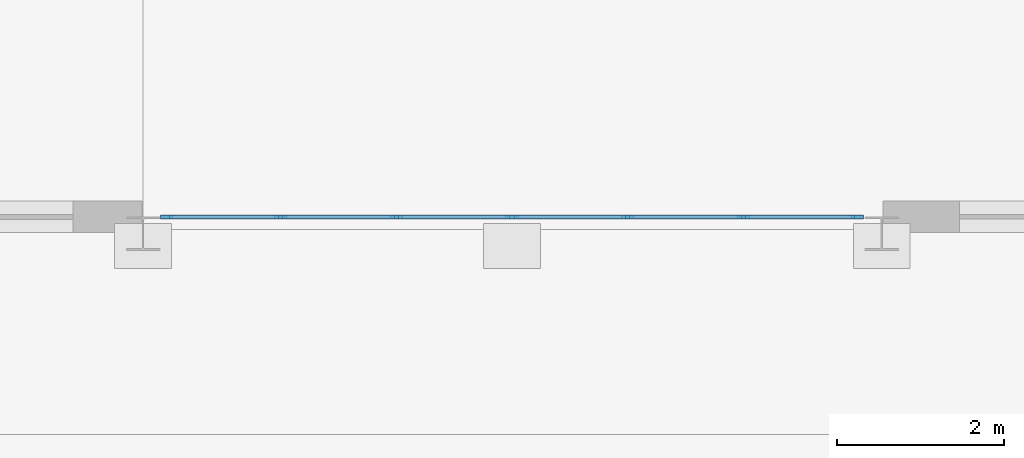
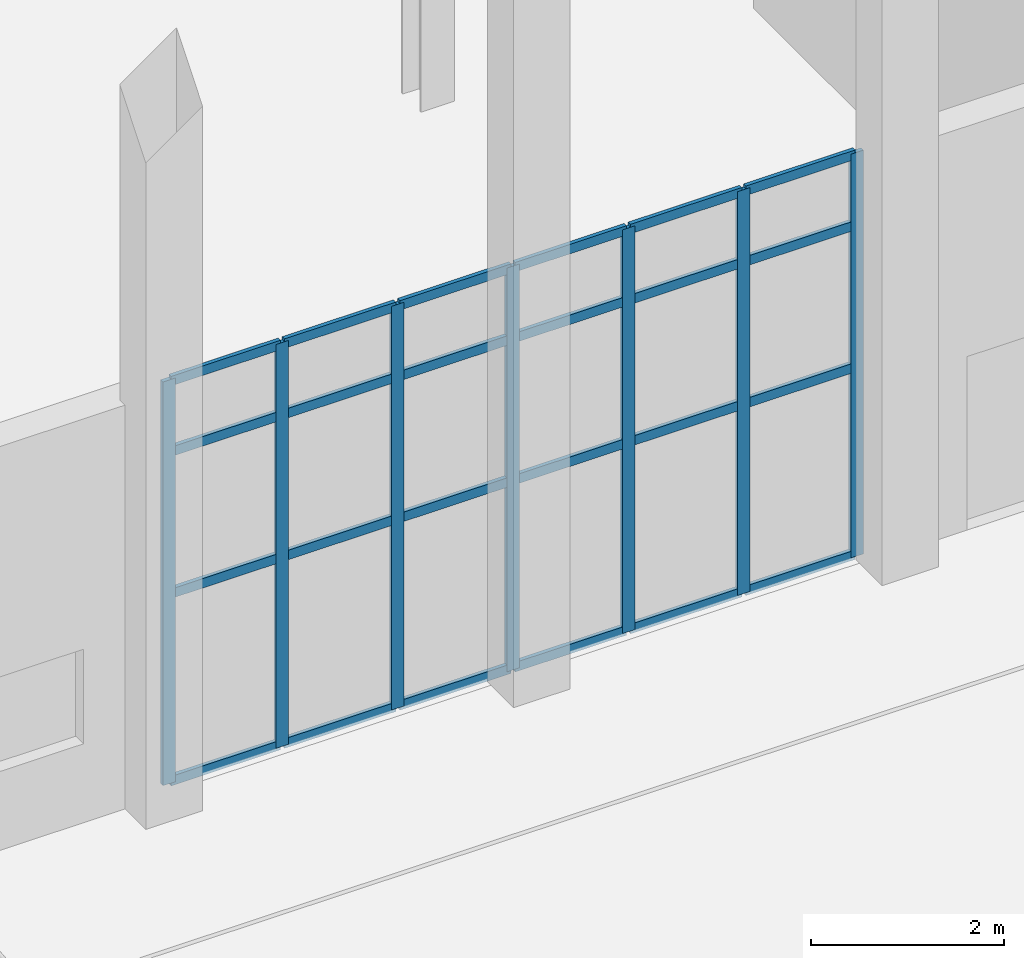
# One storey, part 50 of 139: 31 members, 1 element without a shape of its own.
"""IFC4 building model written with IfcOpenShell, lengths in metres."""

from ifc_helpers import new_model, si_unit, direction, frame, origin, origin_2d, place, context, subcontext, project, spatial, rectangle, extrude, material, layer, layer_set, material_profile, profile_set, type_object, element, aggregate, save


model = new_model("IFC4")

# Units and contexts
model_context = context("Model", 3, precision=1e-05, world=origin(), true_north=direction((0.0, 1.0)))
body_context = subcontext(model_context, "Body", "Model", "MODEL_VIEW")
ifc_project = project(units=[si_unit("LENGTHUNIT", "METRE"), si_unit("AREAUNIT", "SQUARE_METRE"), si_unit("VOLUMEUNIT", "CUBIC_METRE"), si_unit("PLANEANGLEUNIT", "RADIAN"), si_unit("MASSUNIT", "GRAM", prefix="KILO")], contexts=[model_context])

# Site, building, storey
site_placement = place(None, origin())
site = spatial("IfcSite", under=ifc_project, at=site_placement, CompositionType="ELEMENT")
building_placement = place(site_placement, origin())
building = spatial("IfcBuilding", under=site, at=building_placement, Name="Yeouljin Market Hall", CompositionType="ELEMENT")
storey_placement = place(building_placement, origin())
storey = spatial("IfcBuildingStorey", under=building, at=storey_placement, Name="L00", CompositionType="ELEMENT", Elevation=0.0)

# Curtain wall, members
ifc_material_1 = material(Name="Thermally Broken Aluminium", Category="aluminium")
ifc_layer = layer(ifc_material_1, 0.14990234375)
ifc_layer_set = layer_set([ifc_layer], Name="Thermally Broken Aluminium")
curtain_wall_type = type_object("IfcCurtainWallType", Name="CW_WingStorefront_System", PredefinedType="USERDEFINED", material=ifc_layer_set)
curtain_wall_placement = place(storey_placement, origin())
curtain_wall = element("IfcCurtainWall", 1, at=curtain_wall_placement, inside=storey, type_object=curtain_wall_type, Name="Curtain wall CW-V3S-L00-2", ObjectType="CURTAIN WALL", PredefinedType="USERDEFINED")
ifc_material_2 = material(Name="Thermally Broken Aluminium", Category="aluminium")
ifc_material_profile_1 = material_profile(ifc_material_2, rectangle(XDim=0.048095703125, YDim=0.14990234375, at=origin_2d()), Name="CW-MULL-48x150")
ifc_profile_set_1 = profile_set([ifc_material_profile_1], Name="Thermally Broken Aluminium")
member_type_1 = type_object("IfcMemberType", Name="CWMullion_48x150", PredefinedType="MULLION", material=ifc_profile_set_1)
member_1_placement = place(storey_placement, frame((167.27587890625, 0.199951171875, 0.0), z_axis=(0.0, 0.0, 1.0), x_axis=(0.0, -1.0, 0.0)))
member_1 = element("IfcMember", 2, at=member_1_placement, type_object=member_type_1, Name="CW-04 mullion 1", PredefinedType="MULLION", context=body_context, shape_type="SweptSolid", body=[
    extrude(rectangle(XDim=0.048095703125, YDim=0.14990234375, at=origin_2d()), origin(), (0.0, 0.0, 1.0), 5.1201171875),
])
member_2_placement = place(storey_placement, frame((165.916748046875, 0.199951171875, 0.0), z_axis=(0.0, 0.0, 1.0), x_axis=(0.0, -1.0, 0.0)))
member_2 = element("IfcMember", 3, at=member_2_placement, type_object=member_type_1, Name="CW-04 mullion 2", PredefinedType="MULLION", context=body_context, shape_type="SweptSolid", body=[
    extrude(rectangle(XDim=0.048095703125, YDim=0.14990234375, at=origin_2d()), origin(), (0.0, 0.0, 1.0), 5.1201171875),
])
member_3_placement = place(storey_placement, frame((164.533447265625, 0.199951171875, 0.0), z_axis=(0.0, 0.0, 1.0), x_axis=(0.0, -1.0, 0.0)))
member_3 = element("IfcMember", 4, at=member_3_placement, type_object=member_type_1, Name="CW-04 mullion 3", PredefinedType="MULLION", context=body_context, shape_type="SweptSolid", body=[
    extrude(rectangle(XDim=0.048095703125, YDim=0.14990234375, at=origin_2d()), origin(), (0.0, 0.0, 1.0), 5.1201171875),
])
member_4_placement = place(storey_placement, frame((163.14990234375, 0.199951171875, 0.0), z_axis=(0.0, 0.0, 1.0), x_axis=(0.0, -1.0, 0.0)))
member_4 = element("IfcMember", 5, at=member_4_placement, type_object=member_type_1, Name="CW-04 mullion 4", PredefinedType="MULLION", context=body_context, shape_type="SweptSolid", body=[
    extrude(rectangle(XDim=0.048095703125, YDim=0.14990234375, at=origin_2d()), origin(), (0.0, 0.0, 1.0), 5.1201171875),
])
member_5_placement = place(storey_placement, frame((161.7666015625, 0.199951171875, 0.0), z_axis=(0.0, 0.0, 1.0), x_axis=(0.0, -1.0, 0.0)))
member_5 = element("IfcMember", 6, at=member_5_placement, type_object=member_type_1, Name="CW-04 mullion 5", PredefinedType="MULLION", context=body_context, shape_type="SweptSolid", body=[
    extrude(rectangle(XDim=0.048095703125, YDim=0.14990234375, at=origin_2d()), origin(), (0.0, 0.0, 1.0), 5.1201171875),
])
member_6_placement = place(storey_placement, frame((160.38330078125, 0.199951171875, 0.0), z_axis=(0.0, 0.0, 1.0), x_axis=(0.0, -1.0, 0.0)))
member_6 = element("IfcMember", 7, at=member_6_placement, type_object=member_type_1, Name="CW-04 mullion 6", PredefinedType="MULLION", context=body_context, shape_type="SweptSolid", body=[
    extrude(rectangle(XDim=0.048095703125, YDim=0.14990234375, at=origin_2d()), origin(), (0.0, 0.0, 1.0), 5.1201171875),
])
member_7_placement = place(storey_placement, frame((159.02392578125, 0.199951171875, 0.0), z_axis=(0.0, 0.0, 1.0), x_axis=(0.0, -1.0, 0.0)))
member_7 = element("IfcMember", 8, at=member_7_placement, type_object=member_type_1, Name="CW-04 mullion 7", PredefinedType="MULLION", context=body_context, shape_type="SweptSolid", body=[
    extrude(rectangle(XDim=0.048095703125, YDim=0.14990234375, at=origin_2d()), origin(), (0.0, 0.0, 1.0), 5.1201171875),
])
ifc_material_3 = material(Name="Thermally Broken Aluminium", Category="aluminium")
ifc_material_profile_2 = material_profile(ifc_material_3, rectangle(XDim=0.048095703125, YDim=0.1201171875, at=origin_2d()), Name="CW-TRAN-48x120")
ifc_profile_set_2 = profile_set([ifc_material_profile_2], Name="Thermally Broken Aluminium")
member_type_2 = type_object("IfcMemberType", Name="CWTransom_48x120", PredefinedType="USERDEFINED", material=ifc_profile_set_2)
member_8_placement = place(storey_placement, frame((167.251953125, 0.199951171875, 0.02392578125), z_axis=(-1.0, 0.0, 0.0), x_axis=(0.0, -1.0, 0.0)))
member_8 = element("IfcMember", 9, at=member_8_placement, type_object=member_type_2, Name="CW-04 transom 1.1", ObjectType="TRANSOM", PredefinedType="USERDEFINED", context=body_context, shape_type="SweptSolid", body=[
    extrude(rectangle(XDim=0.048095703125, YDim=0.1201171875, at=origin_2d()), origin(), (0.0, 0.0, 1.0), 1.311279296875),
])
member_9_placement = place(storey_placement, frame((167.251953125, 0.199951171875, 2.39990234375), z_axis=(-1.0, 0.0, 0.0), x_axis=(0.0, -1.0, 0.0)))
member_9 = element("IfcMember", 10, at=member_9_placement, type_object=member_type_2, Name="CW-04 transom 1.2", ObjectType="TRANSOM", PredefinedType="USERDEFINED", context=body_context, shape_type="SweptSolid", body=[
    extrude(rectangle(XDim=0.048095703125, YDim=0.1201171875, at=origin_2d()), origin(), (0.0, 0.0, 1.0), 1.311279296875),
])
member_10_placement = place(storey_placement, frame((167.251953125, 0.199951171875, 4.199951171875), z_axis=(-1.0, 0.0, 0.0), x_axis=(0.0, -1.0, 0.0)))
member_10 = element("IfcMember", 11, at=member_10_placement, type_object=member_type_2, Name="CW-04 transom 1.3", ObjectType="TRANSOM", PredefinedType="USERDEFINED", context=body_context, shape_type="SweptSolid", body=[
    extrude(rectangle(XDim=0.048095703125, YDim=0.1201171875, at=origin_2d()), origin(), (0.0, 0.0, 1.0), 1.311279296875),
])
member_11_placement = place(storey_placement, frame((167.251953125, 0.199951171875, 5.095947265625), z_axis=(-1.0, 0.0, 0.0), x_axis=(0.0, -1.0, 0.0)))
member_11 = element("IfcMember", 12, at=member_11_placement, type_object=member_type_2, Name="CW-04 transom 1.4", ObjectType="TRANSOM", PredefinedType="USERDEFINED", context=body_context, shape_type="SweptSolid", body=[
    extrude(rectangle(XDim=0.048095703125, YDim=0.1201171875, at=origin_2d()), origin(), (0.0, 0.0, 1.0), 1.311279296875),
])
member_12_placement = place(storey_placement, frame((165.892578125, 0.199951171875, 0.02392578125), z_axis=(-1.0, 0.0, 0.0), x_axis=(0.0, -1.0, 0.0)))
member_12 = element("IfcMember", 13, at=member_12_placement, type_object=member_type_2, Name="CW-04 transom 2.1", ObjectType="TRANSOM", PredefinedType="USERDEFINED", context=body_context, shape_type="SweptSolid", body=[
    extrude(rectangle(XDim=0.048095703125, YDim=0.1201171875, at=origin_2d()), origin(), (0.0, 0.0, 1.0), 1.335205078125),
])
member_13_placement = place(storey_placement, frame((165.892578125, 0.199951171875, 2.39990234375), z_axis=(-1.0, 0.0, 0.0), x_axis=(0.0, -1.0, 0.0)))
member_13 = element("IfcMember", 14, at=member_13_placement, type_object=member_type_2, Name="CW-04 transom 2.2", ObjectType="TRANSOM", PredefinedType="USERDEFINED", context=body_context, shape_type="SweptSolid", body=[
    extrude(rectangle(XDim=0.048095703125, YDim=0.1201171875, at=origin_2d()), origin(), (0.0, 0.0, 1.0), 1.335205078125),
])
member_14_placement = place(storey_placement, frame((165.892578125, 0.199951171875, 4.199951171875), z_axis=(-1.0, 0.0, 0.0), x_axis=(0.0, -1.0, 0.0)))
member_14 = element("IfcMember", 15, at=member_14_placement, type_object=member_type_2, Name="CW-04 transom 2.3", ObjectType="TRANSOM", PredefinedType="USERDEFINED", context=body_context, shape_type="SweptSolid", body=[
    extrude(rectangle(XDim=0.048095703125, YDim=0.1201171875, at=origin_2d()), origin(), (0.0, 0.0, 1.0), 1.335205078125),
])
member_15_placement = place(storey_placement, frame((165.892578125, 0.199951171875, 5.095947265625), z_axis=(-1.0, 0.0, 0.0), x_axis=(0.0, -1.0, 0.0)))
member_15 = element("IfcMember", 16, at=member_15_placement, type_object=member_type_2, Name="CW-04 transom 2.4", ObjectType="TRANSOM", PredefinedType="USERDEFINED", context=body_context, shape_type="SweptSolid", body=[
    extrude(rectangle(XDim=0.048095703125, YDim=0.1201171875, at=origin_2d()), origin(), (0.0, 0.0, 1.0), 1.335205078125),
])
member_16_placement = place(storey_placement, frame((164.50927734375, 0.199951171875, 0.02392578125), z_axis=(-1.0, 0.0, 0.0), x_axis=(0.0, -1.0, 0.0)))
member_16 = element("IfcMember", 17, at=member_16_placement, type_object=member_type_2, Name="CW-04 transom 3.1", ObjectType="TRANSOM", PredefinedType="USERDEFINED", context=body_context, shape_type="SweptSolid", body=[
    extrude(rectangle(XDim=0.048095703125, YDim=0.1201171875, at=origin_2d()), origin(), (0.0, 0.0, 1.0), 1.335205078125),
])
member_17_placement = place(storey_placement, frame((164.50927734375, 0.199951171875, 2.39990234375), z_axis=(-1.0, 0.0, 0.0), x_axis=(0.0, -1.0, 0.0)))
member_17 = element("IfcMember", 18, at=member_17_placement, type_object=member_type_2, Name="CW-04 transom 3.2", ObjectType="TRANSOM", PredefinedType="USERDEFINED", context=body_context, shape_type="SweptSolid", body=[
    extrude(rectangle(XDim=0.048095703125, YDim=0.1201171875, at=origin_2d()), origin(), (0.0, 0.0, 1.0), 1.335205078125),
])
member_18_placement = place(storey_placement, frame((164.50927734375, 0.199951171875, 4.199951171875), z_axis=(-1.0, 0.0, 0.0), x_axis=(0.0, -1.0, 0.0)))
member_18 = element("IfcMember", 19, at=member_18_placement, type_object=member_type_2, Name="CW-04 transom 3.3", ObjectType="TRANSOM", PredefinedType="USERDEFINED", context=body_context, shape_type="SweptSolid", body=[
    extrude(rectangle(XDim=0.048095703125, YDim=0.1201171875, at=origin_2d()), origin(), (0.0, 0.0, 1.0), 1.335205078125),
])
member_19_placement = place(storey_placement, frame((164.50927734375, 0.199951171875, 5.095947265625), z_axis=(-1.0, 0.0, 0.0), x_axis=(0.0, -1.0, 0.0)))
member_19 = element("IfcMember", 20, at=member_19_placement, type_object=member_type_2, Name="CW-04 transom 3.4", ObjectType="TRANSOM", PredefinedType="USERDEFINED", context=body_context, shape_type="SweptSolid", body=[
    extrude(rectangle(XDim=0.048095703125, YDim=0.1201171875, at=origin_2d()), origin(), (0.0, 0.0, 1.0), 1.335205078125),
])
member_20_placement = place(storey_placement, frame((163.1259765625, 0.199951171875, 0.02392578125), z_axis=(-1.0, 0.0, 0.0), x_axis=(0.0, -1.0, 0.0)))
member_20 = element("IfcMember", 21, at=member_20_placement, type_object=member_type_2, Name="CW-04 transom 4.1", ObjectType="TRANSOM", PredefinedType="USERDEFINED", context=body_context, shape_type="SweptSolid", body=[
    extrude(rectangle(XDim=0.048095703125, YDim=0.1201171875, at=origin_2d()), origin(), (0.0, 0.0, 1.0), 1.335205078125),
])
member_21_placement = place(storey_placement, frame((163.1259765625, 0.199951171875, 2.39990234375), z_axis=(-1.0, 0.0, 0.0), x_axis=(0.0, -1.0, 0.0)))
member_21 = element("IfcMember", 22, at=member_21_placement, type_object=member_type_2, Name="CW-04 transom 4.2", ObjectType="TRANSOM", PredefinedType="USERDEFINED", context=body_context, shape_type="SweptSolid", body=[
    extrude(rectangle(XDim=0.048095703125, YDim=0.1201171875, at=origin_2d()), origin(), (0.0, 0.0, 1.0), 1.335205078125),
])
member_22_placement = place(storey_placement, frame((163.1259765625, 0.199951171875, 4.199951171875), z_axis=(-1.0, 0.0, 0.0), x_axis=(0.0, -1.0, 0.0)))
member_22 = element("IfcMember", 23, at=member_22_placement, type_object=member_type_2, Name="CW-04 transom 4.3", ObjectType="TRANSOM", PredefinedType="USERDEFINED", context=body_context, shape_type="SweptSolid", body=[
    extrude(rectangle(XDim=0.048095703125, YDim=0.1201171875, at=origin_2d()), origin(), (0.0, 0.0, 1.0), 1.335205078125),
])
member_23_placement = place(storey_placement, frame((163.1259765625, 0.199951171875, 5.095947265625), z_axis=(-1.0, 0.0, 0.0), x_axis=(0.0, -1.0, 0.0)))
member_23 = element("IfcMember", 24, at=member_23_placement, type_object=member_type_2, Name="CW-04 transom 4.4", ObjectType="TRANSOM", PredefinedType="USERDEFINED", context=body_context, shape_type="SweptSolid", body=[
    extrude(rectangle(XDim=0.048095703125, YDim=0.1201171875, at=origin_2d()), origin(), (0.0, 0.0, 1.0), 1.335205078125),
])
member_24_placement = place(storey_placement, frame((161.74267578125, 0.199951171875, 0.02392578125), z_axis=(-1.0, 0.0, 0.0), x_axis=(0.0, -1.0, 0.0)))
member_24 = element("IfcMember", 25, at=member_24_placement, type_object=member_type_2, Name="CW-04 transom 5.1", ObjectType="TRANSOM", PredefinedType="USERDEFINED", context=body_context, shape_type="SweptSolid", body=[
    extrude(rectangle(XDim=0.048095703125, YDim=0.1201171875, at=origin_2d()), origin(), (0.0, 0.0, 1.0), 1.33544921875),
])
member_25_placement = place(storey_placement, frame((161.74267578125, 0.199951171875, 2.39990234375), z_axis=(-1.0, 0.0, 0.0), x_axis=(0.0, -1.0, 0.0)))
member_25 = element("IfcMember", 26, at=member_25_placement, type_object=member_type_2, Name="CW-04 transom 5.2", ObjectType="TRANSOM", PredefinedType="USERDEFINED", context=body_context, shape_type="SweptSolid", body=[
    extrude(rectangle(XDim=0.048095703125, YDim=0.1201171875, at=origin_2d()), origin(), (0.0, 0.0, 1.0), 1.33544921875),
])
member_26_placement = place(storey_placement, frame((161.74267578125, 0.199951171875, 4.199951171875), z_axis=(-1.0, 0.0, 0.0), x_axis=(0.0, -1.0, 0.0)))
member_26 = element("IfcMember", 27, at=member_26_placement, type_object=member_type_2, Name="CW-04 transom 5.3", ObjectType="TRANSOM", PredefinedType="USERDEFINED", context=body_context, shape_type="SweptSolid", body=[
    extrude(rectangle(XDim=0.048095703125, YDim=0.1201171875, at=origin_2d()), origin(), (0.0, 0.0, 1.0), 1.33544921875),
])
member_27_placement = place(storey_placement, frame((161.74267578125, 0.199951171875, 5.095947265625), z_axis=(-1.0, 0.0, 0.0), x_axis=(0.0, -1.0, 0.0)))
member_27 = element("IfcMember", 28, at=member_27_placement, type_object=member_type_2, Name="CW-04 transom 5.4", ObjectType="TRANSOM", PredefinedType="USERDEFINED", context=body_context, shape_type="SweptSolid", body=[
    extrude(rectangle(XDim=0.048095703125, YDim=0.1201171875, at=origin_2d()), origin(), (0.0, 0.0, 1.0), 1.33544921875),
])
member_28_placement = place(storey_placement, frame((160.359375, 0.199951171875, 0.02392578125), z_axis=(-1.0, 0.0, 0.0), x_axis=(0.0, -1.0, 0.0)))
member_28 = element("IfcMember", 29, at=member_28_placement, type_object=member_type_2, Name="CW-04 transom 6.1", ObjectType="TRANSOM", PredefinedType="USERDEFINED", context=body_context, shape_type="SweptSolid", body=[
    extrude(rectangle(XDim=0.048095703125, YDim=0.1201171875, at=origin_2d()), origin(), (0.0, 0.0, 1.0), 1.311279296875),
])
member_29_placement = place(storey_placement, frame((160.359375, 0.199951171875, 2.39990234375), z_axis=(-1.0, 0.0, 0.0), x_axis=(0.0, -1.0, 0.0)))
member_29 = element("IfcMember", 30, at=member_29_placement, type_object=member_type_2, Name="CW-04 transom 6.2", ObjectType="TRANSOM", PredefinedType="USERDEFINED", context=body_context, shape_type="SweptSolid", body=[
    extrude(rectangle(XDim=0.048095703125, YDim=0.1201171875, at=origin_2d()), origin(), (0.0, 0.0, 1.0), 1.311279296875),
])
member_30_placement = place(storey_placement, frame((160.359375, 0.199951171875, 4.199951171875), z_axis=(-1.0, 0.0, 0.0), x_axis=(0.0, -1.0, 0.0)))
member_30 = element("IfcMember", 31, at=member_30_placement, type_object=member_type_2, Name="CW-04 transom 6.3", ObjectType="TRANSOM", PredefinedType="USERDEFINED", context=body_context, shape_type="SweptSolid", body=[
    extrude(rectangle(XDim=0.048095703125, YDim=0.1201171875, at=origin_2d()), origin(), (0.0, 0.0, 1.0), 1.311279296875),
])
member_31_placement = place(storey_placement, frame((160.359375, 0.199951171875, 5.095947265625), z_axis=(-1.0, 0.0, 0.0), x_axis=(0.0, -1.0, 0.0)))
member_31 = element("IfcMember", 32, at=member_31_placement, type_object=member_type_2, Name="CW-04 transom 6.4", ObjectType="TRANSOM", PredefinedType="USERDEFINED", context=body_context, shape_type="SweptSolid", body=[
    extrude(rectangle(XDim=0.048095703125, YDim=0.1201171875, at=origin_2d()), origin(), (0.0, 0.0, 1.0), 1.311279296875),
])
aggregate(curtain_wall, [member_1, member_2, member_3, member_4, member_5, member_6, member_7, member_8, member_9, member_10, member_11, member_12, member_13, member_14, member_15, member_16, member_17, member_18, member_19, member_20, member_21, member_22, member_23, member_24, member_25, member_26, member_27, member_28, member_29, member_30, member_31])

save(model, "model.ifc")
